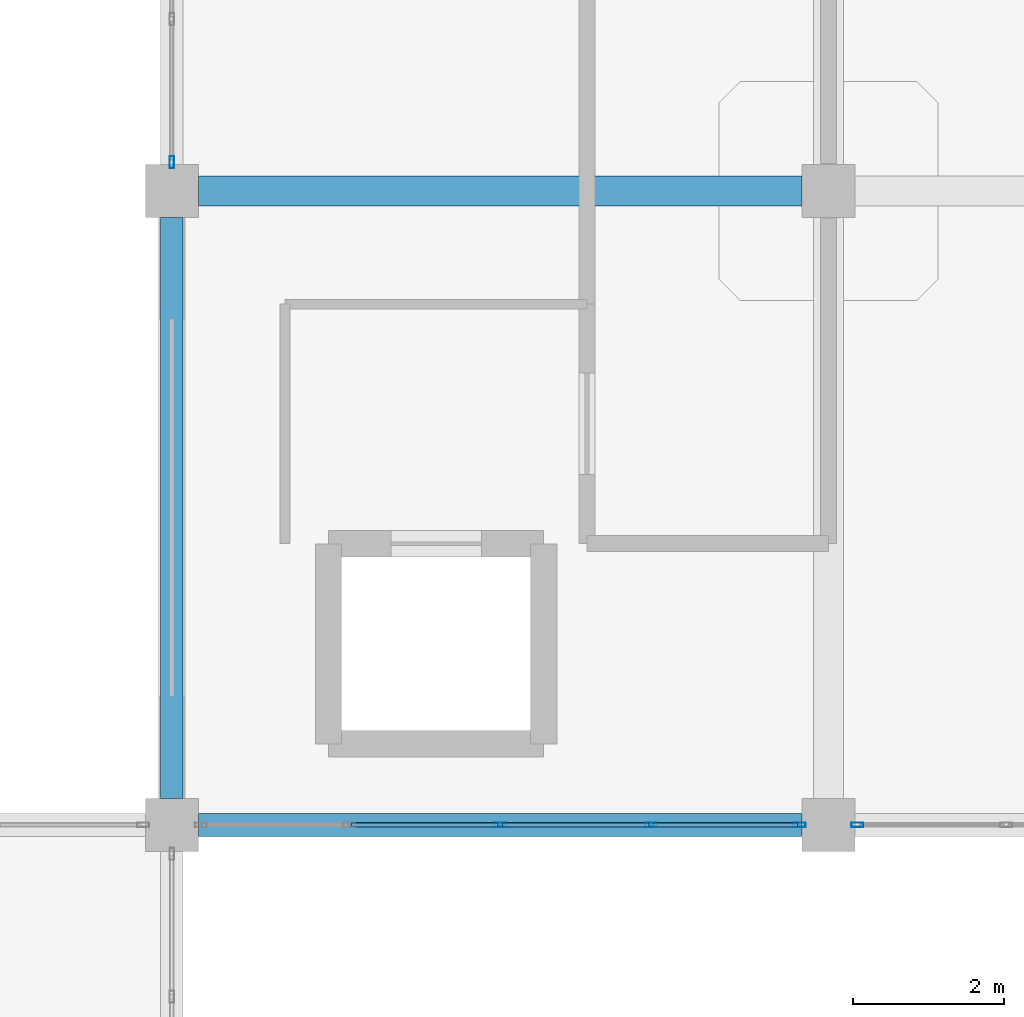
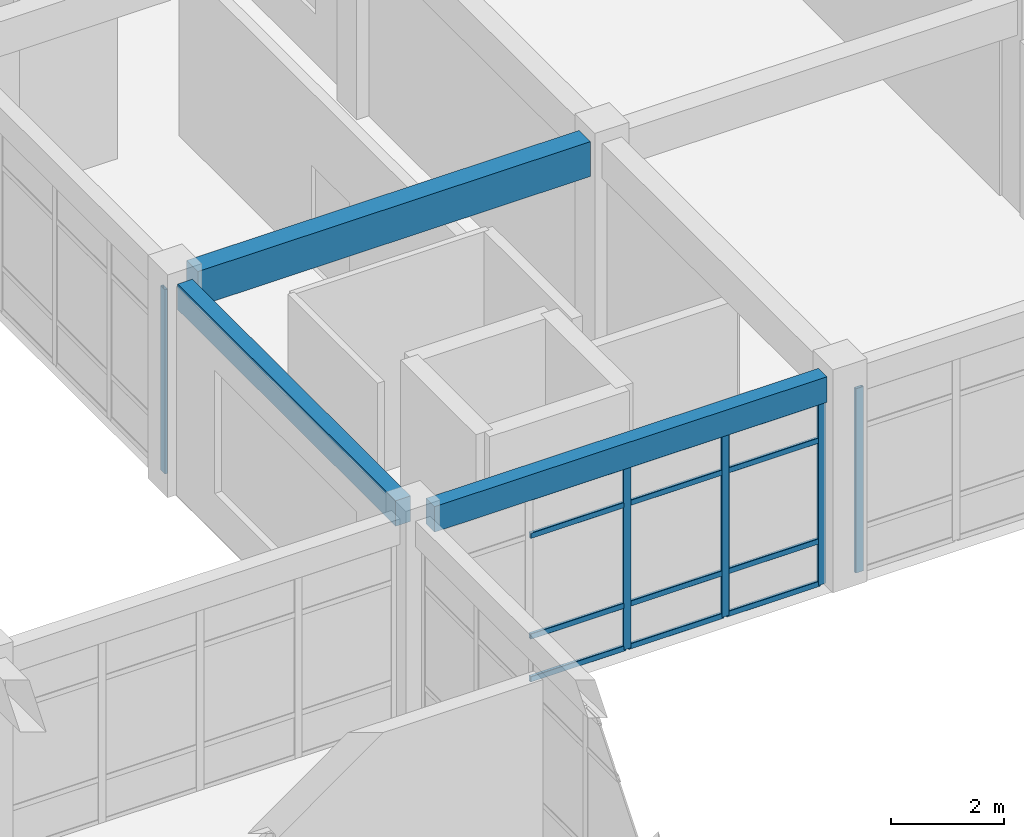
# One storey, part 40 of 76: 17 members, 3 beams, 3 elements without a shape of their own.
"""IFC4 building model written with IfcOpenShell, lengths in metres."""

from ifc_helpers import new_model, si_unit, derived_unit, direction, frame, origin, origin_2d, place, context, subcontext, project, spatial, rectangle, hollow_rectangle, extrude, material, layer, layer_set, material_profile, profile_set, type_object, element, aggregate, save


model = new_model("IFC4")

# Units and contexts
model_context = context("Model", 3, precision=1e-05, world=origin(), true_north=direction((0.0, 1.0)))
body_context = subcontext(model_context, "Body", "Model", "MODEL_VIEW")
ifc_project = project(units=[si_unit("LENGTHUNIT", "METRE"), si_unit("AREAUNIT", "SQUARE_METRE"), si_unit("VOLUMEUNIT", "CUBIC_METRE"), si_unit("PLANEANGLEUNIT", "RADIAN"), si_unit("MASSUNIT", "GRAM", prefix="KILO"), derived_unit("THERMALTRANSMITTANCEUNIT", [(si_unit("MASSUNIT", "GRAM", prefix="KILO"), 1), (si_unit("TIMEUNIT", "SECOND"), -3), (si_unit("THERMODYNAMICTEMPERATUREUNIT", "KELVIN"), -1)])], contexts=[model_context])

# Site, building, storey
site_placement = place(None, origin())
site = spatial("IfcSite", under=ifc_project, at=site_placement, CompositionType="ELEMENT")
building_placement = place(site_placement, origin())
building = spatial("IfcBuilding", under=site, at=building_placement, Name="Qinzheling Arcade Emporium", CompositionType="ELEMENT")
storey_placement = place(building_placement, frame((0.0, 0.0, 26.699951171875)))
storey = spatial("IfcBuildingStorey", under=building, at=storey_placement, Name="L06", CompositionType="ELEMENT", Elevation=26.699951171875)

# Curtain wall, member
ifc_material_1 = material(Name="Anodised aluminium and solar-control double glazing", Category="aluminium")
ifc_layer = layer(ifc_material_1, 0.159912109375, Name="Anodised aluminium and solar-control double glazing", Category="aluminium")
ifc_layer_set = layer_set([ifc_layer], Name="Anodised aluminium and solar-control double glazing")
curtain_wall_type = type_object("IfcCurtainWallType", Name="Arcade Portal Glazed Curtain Wall", PredefinedType="NOTDEFINED", material=ifc_layer_set)
curtain_wall_1_placement = place(storey_placement, origin())
curtain_wall_1 = element("IfcCurtainWall", 1, at=curtain_wall_1_placement, inside=storey, type_object=curtain_wall_type, Name="Curtain Wall CW-L06-382", PredefinedType="NOTDEFINED")
ifc_material_2 = material(Name="Anodised aluminium 6063-T6", Category="aluminium")
ifc_material_profile_1 = material_profile(ifc_material_2, hollow_rectangle(XDim=0.06005859375, YDim=0.159912109375, WallThickness=0.00390625, InnerFilletRadius=0.00390625, OuterFilletRadius=0.008056640625, at=origin_2d()), Name="RHS 160x60x4", Category="aluminium")
ifc_profile_set_1 = profile_set([ifc_material_profile_1], Name="Anodised aluminium 6063-T6")
member_type_1 = type_object("IfcMemberType", Name="Curtain Wall Mullion RHS160x60", PredefinedType="MULLION", material=ifc_profile_set_1)
member_1_placement = place(storey_placement, frame((104.39990234375, 82.58203125, 0.0), z_axis=(0.0, 0.0, 1.0), x_axis=(-1.0, 0.0, 0.0)))
member_1 = element("IfcMember", 2, at=member_1_placement, type_object=member_type_1, Name="CW05 mullion 1", PredefinedType="MULLION", context=body_context, shape_type="SweptSolid", body=[
    extrude(hollow_rectangle(XDim=0.06005859375, YDim=0.159912109375, WallThickness=0.00390625, InnerFilletRadius=0.00390625, OuterFilletRadius=0.008056640625, at=origin_2d()), origin(), (0.0, 0.0, 1.0), 3.969970703125),
])
aggregate(curtain_wall_1, [member_1])

curtain_wall_2_placement = place(storey_placement, origin())
curtain_wall_2 = element("IfcCurtainWall", 3, at=curtain_wall_2_placement, inside=storey, type_object=curtain_wall_type, Name="Curtain Wall CW-L06-395", PredefinedType="NOTDEFINED")
member_2_placement = place(storey_placement, frame((113.48193359375, 73.800048828125, 0.0), z_axis=(0.0, 0.0, 1.0), x_axis=(0.0, -1.0, 0.0)))
member_2 = element("IfcMember", 4, at=member_2_placement, type_object=member_type_1, Name="CW05 mullion 5", PredefinedType="MULLION", context=body_context, shape_type="SweptSolid", body=[
    extrude(hollow_rectangle(XDim=0.06005859375, YDim=0.159912109375, WallThickness=0.00390625, InnerFilletRadius=0.00390625, OuterFilletRadius=0.008056640625, at=origin_2d()), origin(), (0.0, 0.0, 1.0), 3.969970703125),
])
aggregate(curtain_wall_2, [member_2])

# Curtain wall, members
curtain_wall_3_placement = place(storey_placement, origin())
curtain_wall_3 = element("IfcCurtainWall", 5, at=curtain_wall_3_placement, inside=storey, type_object=curtain_wall_type, Name="Curtain Wall CW-L06-396", PredefinedType="NOTDEFINED")
member_3_placement = place(storey_placement, frame((112.718017578125, 73.800048828125, 0.0), z_axis=(0.0, 0.0, 1.0), x_axis=(0.0, -1.0, 0.0)))
member_3 = element("IfcMember", 6, at=member_3_placement, type_object=member_type_1, Name="CW05 mullion 1", PredefinedType="MULLION", context=body_context, shape_type="SweptSolid", body=[
    extrude(hollow_rectangle(XDim=0.06005859375, YDim=0.159912109375, WallThickness=0.00390625, InnerFilletRadius=0.00390625, OuterFilletRadius=0.008056640625, at=origin_2d()), origin(), (0.0, 0.0, 1.0), 3.969970703125),
])
member_4_placement = place(storey_placement, frame((110.7490234375, 73.800048828125, 0.0), z_axis=(0.0, 0.0, 1.0), x_axis=(0.0, -1.0, 0.0)))
member_4 = element("IfcMember", 7, at=member_4_placement, type_object=member_type_1, Name="CW05 mullion 2", PredefinedType="MULLION", context=body_context, shape_type="SweptSolid", body=[
    extrude(hollow_rectangle(XDim=0.06005859375, YDim=0.159912109375, WallThickness=0.00390625, InnerFilletRadius=0.00390625, OuterFilletRadius=0.008056640625, at=origin_2d()), origin(), (0.0, 0.0, 1.0), 3.969970703125),
])
member_5_placement = place(storey_placement, frame((108.75, 73.800048828125, 0.0), z_axis=(0.0, 0.0, 1.0), x_axis=(0.0, -1.0, 0.0)))
member_5 = element("IfcMember", 8, at=member_5_placement, type_object=member_type_1, Name="CW05 mullion 3", PredefinedType="MULLION", context=body_context, shape_type="SweptSolid", body=[
    extrude(hollow_rectangle(XDim=0.06005859375, YDim=0.159912109375, WallThickness=0.00390625, InnerFilletRadius=0.00390625, OuterFilletRadius=0.008056640625, at=origin_2d()), origin(), (0.0, 0.0, 1.0), 3.969970703125),
])
ifc_material_profile_2 = material_profile(ifc_material_2, hollow_rectangle(XDim=0.06005859375, YDim=0.1201171875, WallThickness=0.00390625, InnerFilletRadius=0.00390625, OuterFilletRadius=0.008056640625, at=origin_2d()), Name="RHS 120x60x4", Category="aluminium")
ifc_profile_set_2 = profile_set([ifc_material_profile_2], Name="Anodised aluminium 6063-T6")
member_type_2 = type_object("IfcMemberType", Name="Curtain Wall Transom RHS120x60", PredefinedType="USERDEFINED", material=ifc_profile_set_2)
member_6_placement = place(storey_placement, frame((112.68798828125, 73.800048828125, 0.030029296875), z_axis=(-1.0, 0.0, 0.0), x_axis=(0.0, -1.0, 0.0)))
member_6 = element("IfcMember", 9, at=member_6_placement, type_object=member_type_2, Name="CW05 transom 1.1", ObjectType="TRANSOM", PredefinedType="USERDEFINED", context=body_context, shape_type="SweptSolid", body=[
    extrude(hollow_rectangle(XDim=0.06005859375, YDim=0.1201171875, WallThickness=0.00390625, InnerFilletRadius=0.00390625, OuterFilletRadius=0.008056640625, at=origin_2d()), origin(), (0.0, 0.0, 1.0), 1.908935546875),
])
member_7_placement = place(storey_placement, frame((112.68798828125, 73.800048828125, 0.949951171875), z_axis=(-1.0, 0.0, 0.0), x_axis=(0.0, -1.0, 0.0)))
member_7 = element("IfcMember", 10, at=member_7_placement, type_object=member_type_2, Name="CW05 transom 1.2", ObjectType="TRANSOM", PredefinedType="USERDEFINED", context=body_context, shape_type="SweptSolid", body=[
    extrude(hollow_rectangle(XDim=0.06005859375, YDim=0.1201171875, WallThickness=0.00390625, InnerFilletRadius=0.00390625, OuterFilletRadius=0.008056640625, at=origin_2d()), origin(), (0.0, 0.0, 1.0), 1.908935546875),
])
member_8_placement = place(storey_placement, frame((112.68798828125, 73.800048828125, 3.1201171875), z_axis=(-1.0, 0.0, 0.0), x_axis=(0.0, -1.0, 0.0)))
member_8 = element("IfcMember", 11, at=member_8_placement, type_object=member_type_2, Name="CW05 transom 1.3", ObjectType="TRANSOM", PredefinedType="USERDEFINED", context=body_context, shape_type="SweptSolid", body=[
    extrude(hollow_rectangle(XDim=0.06005859375, YDim=0.1201171875, WallThickness=0.00390625, InnerFilletRadius=0.00390625, OuterFilletRadius=0.008056640625, at=origin_2d()), origin(), (0.0, 0.0, 1.0), 1.908935546875),
])
member_9_placement = place(storey_placement, frame((112.68798828125, 73.800048828125, 3.93994140625), z_axis=(-1.0, 0.0, 0.0), x_axis=(0.0, -1.0, 0.0)))
member_9 = element("IfcMember", 12, at=member_9_placement, type_object=member_type_2, Name="CW05 transom 1.4", ObjectType="TRANSOM", PredefinedType="USERDEFINED", context=body_context, shape_type="SweptSolid", body=[
    extrude(hollow_rectangle(XDim=0.06005859375, YDim=0.1201171875, WallThickness=0.00390625, InnerFilletRadius=0.00390625, OuterFilletRadius=0.008056640625, at=origin_2d()), origin(), (0.0, 0.0, 1.0), 1.908935546875),
])
member_10_placement = place(storey_placement, frame((110.718994140625, 73.800048828125, 0.030029296875), z_axis=(-1.0, 0.0, 0.0), x_axis=(0.0, -1.0, 0.0)))
member_10 = element("IfcMember", 13, at=member_10_placement, type_object=member_type_2, Name="CW05 transom 2.1", ObjectType="TRANSOM", PredefinedType="USERDEFINED", context=body_context, shape_type="SweptSolid", body=[
    extrude(hollow_rectangle(XDim=0.06005859375, YDim=0.1201171875, WallThickness=0.00390625, InnerFilletRadius=0.00390625, OuterFilletRadius=0.008056640625, at=origin_2d()), origin(), (0.0, 0.0, 1.0), 1.93896484375),
])
member_11_placement = place(storey_placement, frame((110.718994140625, 73.800048828125, 0.949951171875), z_axis=(-1.0, 0.0, 0.0), x_axis=(0.0, -1.0, 0.0)))
member_11 = element("IfcMember", 14, at=member_11_placement, type_object=member_type_2, Name="CW05 transom 2.2", ObjectType="TRANSOM", PredefinedType="USERDEFINED", context=body_context, shape_type="SweptSolid", body=[
    extrude(hollow_rectangle(XDim=0.06005859375, YDim=0.1201171875, WallThickness=0.00390625, InnerFilletRadius=0.00390625, OuterFilletRadius=0.008056640625, at=origin_2d()), origin(), (0.0, 0.0, 1.0), 1.93896484375),
])
member_12_placement = place(storey_placement, frame((110.718994140625, 73.800048828125, 3.1201171875), z_axis=(-1.0, 0.0, 0.0), x_axis=(0.0, -1.0, 0.0)))
member_12 = element("IfcMember", 15, at=member_12_placement, type_object=member_type_2, Name="CW05 transom 2.3", ObjectType="TRANSOM", PredefinedType="USERDEFINED", context=body_context, shape_type="SweptSolid", body=[
    extrude(hollow_rectangle(XDim=0.06005859375, YDim=0.1201171875, WallThickness=0.00390625, InnerFilletRadius=0.00390625, OuterFilletRadius=0.008056640625, at=origin_2d()), origin(), (0.0, 0.0, 1.0), 1.93896484375),
])
member_13_placement = place(storey_placement, frame((110.718994140625, 73.800048828125, 3.93994140625), z_axis=(-1.0, 0.0, 0.0), x_axis=(0.0, -1.0, 0.0)))
member_13 = element("IfcMember", 16, at=member_13_placement, type_object=member_type_2, Name="CW05 transom 2.4", ObjectType="TRANSOM", PredefinedType="USERDEFINED", context=body_context, shape_type="SweptSolid", body=[
    extrude(hollow_rectangle(XDim=0.06005859375, YDim=0.1201171875, WallThickness=0.00390625, InnerFilletRadius=0.00390625, OuterFilletRadius=0.008056640625, at=origin_2d()), origin(), (0.0, 0.0, 1.0), 1.93896484375),
])
member_14_placement = place(storey_placement, frame((108.719970703125, 73.800048828125, 0.030029296875), z_axis=(-1.0, 0.0, 0.0), x_axis=(0.0, -1.0, 0.0)))
member_14 = element("IfcMember", 17, at=member_14_placement, type_object=member_type_2, Name="CW05 transom 3.1", ObjectType="TRANSOM", PredefinedType="USERDEFINED", context=body_context, shape_type="SweptSolid", body=[
    extrude(hollow_rectangle(XDim=0.06005859375, YDim=0.1201171875, WallThickness=0.00390625, InnerFilletRadius=0.00390625, OuterFilletRadius=0.008056640625, at=origin_2d()), origin(), (0.0, 0.0, 1.0), 1.93896484375),
])
member_15_placement = place(storey_placement, frame((108.719970703125, 73.800048828125, 0.949951171875), z_axis=(-1.0, 0.0, 0.0), x_axis=(0.0, -1.0, 0.0)))
member_15 = element("IfcMember", 18, at=member_15_placement, type_object=member_type_2, Name="CW05 transom 3.2", ObjectType="TRANSOM", PredefinedType="USERDEFINED", context=body_context, shape_type="SweptSolid", body=[
    extrude(hollow_rectangle(XDim=0.06005859375, YDim=0.1201171875, WallThickness=0.00390625, InnerFilletRadius=0.00390625, OuterFilletRadius=0.008056640625, at=origin_2d()), origin(), (0.0, 0.0, 1.0), 1.93896484375),
])
member_16_placement = place(storey_placement, frame((108.719970703125, 73.800048828125, 3.1201171875), z_axis=(-1.0, 0.0, 0.0), x_axis=(0.0, -1.0, 0.0)))
member_16 = element("IfcMember", 19, at=member_16_placement, type_object=member_type_2, Name="CW05 transom 3.3", ObjectType="TRANSOM", PredefinedType="USERDEFINED", context=body_context, shape_type="SweptSolid", body=[
    extrude(hollow_rectangle(XDim=0.06005859375, YDim=0.1201171875, WallThickness=0.00390625, InnerFilletRadius=0.00390625, OuterFilletRadius=0.008056640625, at=origin_2d()), origin(), (0.0, 0.0, 1.0), 1.93896484375),
])
member_17_placement = place(storey_placement, frame((108.719970703125, 73.800048828125, 3.93994140625), z_axis=(-1.0, 0.0, 0.0), x_axis=(0.0, -1.0, 0.0)))
member_17 = element("IfcMember", 20, at=member_17_placement, type_object=member_type_2, Name="CW05 transom 3.4", ObjectType="TRANSOM", PredefinedType="USERDEFINED", context=body_context, shape_type="SweptSolid", body=[
    extrude(hollow_rectangle(XDim=0.06005859375, YDim=0.1201171875, WallThickness=0.00390625, InnerFilletRadius=0.00390625, OuterFilletRadius=0.008056640625, at=origin_2d()), origin(), (0.0, 0.0, 1.0), 1.93896484375),
])
aggregate(curtain_wall_3, [member_3, member_4, member_5, member_6, member_7, member_8, member_9, member_10, member_11, member_12, member_13, member_14, member_15, member_16, member_17])

# Beams
ifc_material_3 = material(Name="Concrete C40", Category="concrete")
ifc_material_profile_3 = material_profile(ifc_material_3, rectangle(XDim=0.39990234375, YDim=0.75, at=origin_2d()), Name="RC 400x750", Category="concrete")
ifc_profile_set_3 = profile_set([ifc_material_profile_3], Name="Concrete C40")
beam_type_1 = type_object("IfcBeamType", Name="RC Interior Tie Beam 400x750 C40", PredefinedType="BEAM", material=ifc_profile_set_3)
beam_1_placement = place(storey_placement, frame((104.75, 82.199951171875, 4.16015625), z_axis=(1.0, 0.0, 0.0), x_axis=(0.0, 1.0, 0.0)))
element("IfcBeam", 21, at=beam_1_placement, inside=storey, type_object=beam_type_1, Name="Beam BM-L06-X-K-13", PredefinedType="BEAM", context=body_context, shape_type="SweptSolid", body=[
    extrude(rectangle(XDim=0.39990234375, YDim=0.75, at=origin_2d()), origin(), (0.0, 0.0, 1.0), 8.0),
])
ifc_material_profile_4 = material_profile(ifc_material_3, rectangle(XDim=0.300048828125, YDim=0.550048828125, at=origin_2d()), Name="RC 300x550", Category="concrete")
ifc_profile_set_4 = profile_set([ifc_material_profile_4], Name="Concrete C40")
beam_type_2 = type_object("IfcBeamType", Name="RC Terrace Spandrel Beam 300x550 C40", PredefinedType="SPANDREL", material=ifc_profile_set_4)
beam_2_placement = place(storey_placement, frame((104.75, 73.800048828125, 4.260009765625), z_axis=(1.0, 0.0, 0.0), x_axis=(0.0, 1.0, 0.0)))
element("IfcBeam", 22, at=beam_2_placement, inside=storey, type_object=beam_type_2, Name="Beam BM-L06-X-J-13", PredefinedType="SPANDREL", context=body_context, shape_type="SweptSolid", body=[
    extrude(rectangle(XDim=0.300048828125, YDim=0.550048828125, at=origin_2d()), origin(), (0.0, 0.0, 1.0), 8.0),
])
beam_3_placement = place(storey_placement, frame((104.39990234375, 74.14990234375, 4.260009765625), z_axis=(0.0, 1.0, 0.0), x_axis=(-1.0, 0.0, 0.0)))
element("IfcBeam", 23, at=beam_3_placement, inside=storey, type_object=beam_type_2, Name="Beam BM-L06-Y-13-J", PredefinedType="SPANDREL", context=body_context, shape_type="SweptSolid", body=[
    extrude(rectangle(XDim=0.300048828125, YDim=0.550048828125, at=origin_2d()), origin(), (0.0, 0.0, 1.0), 7.7001953125),
])

save(model, "model.ifc")
